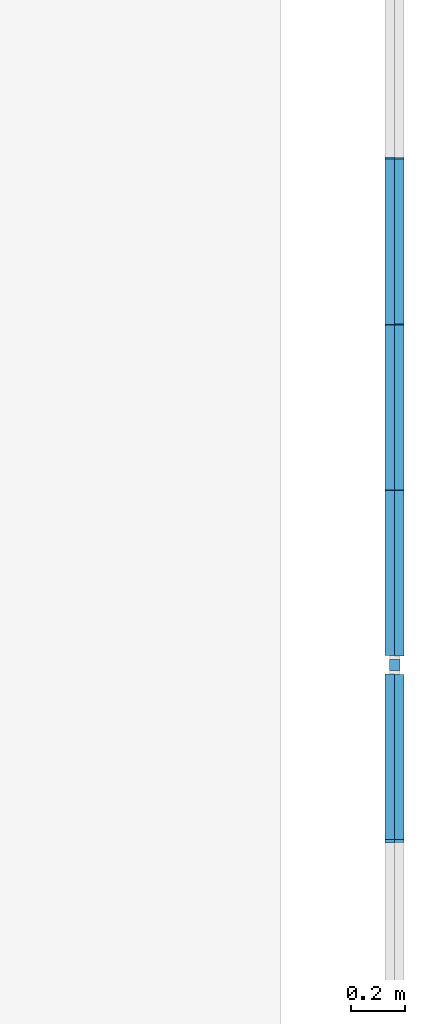
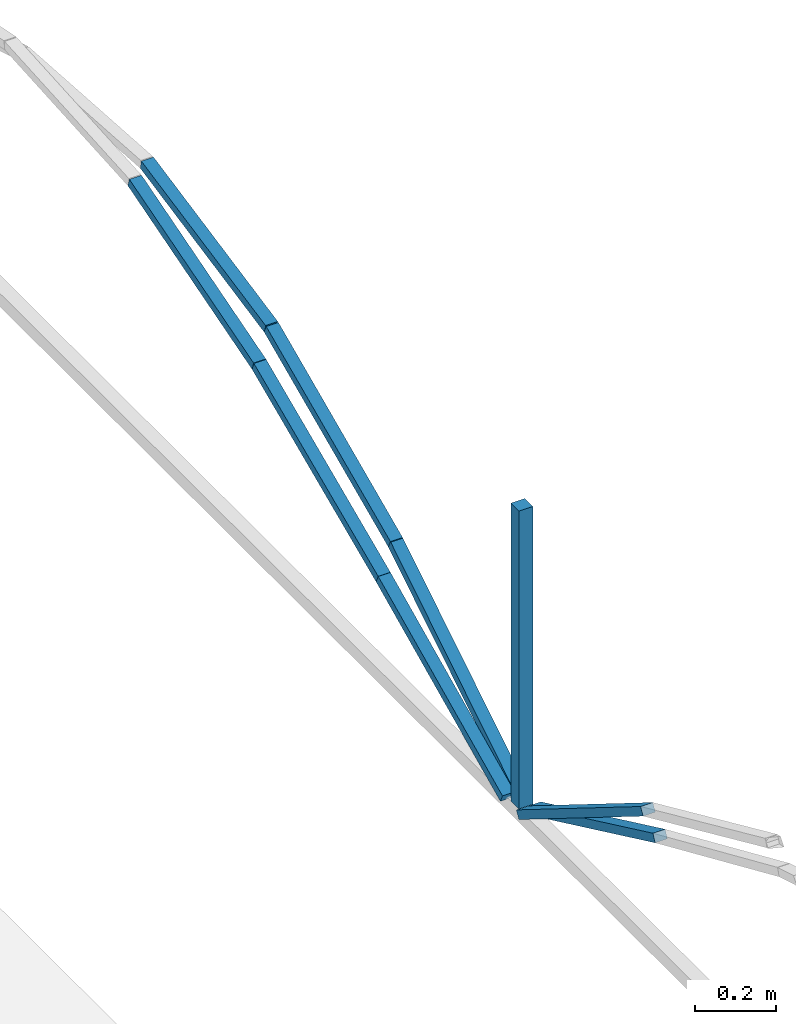
# One storey, part 6 of 9: 9 discrete accessories.
"""IFC4 building model written with IfcOpenShell, lengths in metres."""

from ifc_helpers import new_model, si_unit, direction, frame, origin, origin_2d, place, context, subcontext, project, spatial, rectangle, extrude, material, material_profile, profile_set, type_object, element, save


model = new_model("IFC4")

# Units and contexts
model_context = context("Model", 3, precision=1e-05, world=origin(), true_north=direction((0.0, 1.0)))
body_context = subcontext(model_context, "Body", "Model", "MODEL_VIEW")
ifc_project = project(units=[si_unit("LENGTHUNIT", "METRE"), si_unit("AREAUNIT", "SQUARE_METRE"), si_unit("VOLUMEUNIT", "CUBIC_METRE"), si_unit("PLANEANGLEUNIT", "RADIAN"), si_unit("MASSUNIT", "GRAM", prefix="KILO")], contexts=[model_context])

# Site, building, storey
site_placement = place(None, origin())
site = spatial("IfcSite", under=ifc_project, at=site_placement, CompositionType="ELEMENT")
building_placement = place(site_placement, origin())
building = spatial("IfcBuilding", under=site, at=building_placement, Name="Hortulan Conservatory and Botanical Research Centre", CompositionType="ELEMENT")
storey_placement = place(building_placement, frame((0.0, 0.0, 74.25)))
storey = spatial("IfcBuildingStorey", under=building, at=storey_placement, Name="MAIN ROOF", CompositionType="ELEMENT", Elevation=74.25)

# Discrete accessories
ifc_material = material(Name="Bronze-charcoal painted wrought iron", Category="metal")
ifc_material_profile_1 = material_profile(ifc_material, rectangle(XDim=0.0400390625, YDim=0.0400390625, at=origin_2d()), Name="Square bar 40x40")
ifc_profile_set_1 = profile_set([ifc_material_profile_1], Name="Bronze-charcoal painted wrought iron")
discrete_accessory_type_1 = type_object("IfcDiscreteAccessoryType", Name="Cresting Post 40x40", PredefinedType="USERDEFINED", material=ifc_profile_set_1)
discrete_accessory_1_placement = place(storey_placement, frame((31.925048828125, 13.387451171875, 1.43994140625), z_axis=(0.0, 0.0, 1.0), x_axis=(1.0, 0.0, 0.0)))
element("IfcDiscreteAccessory", 1, at=discrete_accessory_1_placement, inside=storey, type_object=discrete_accessory_type_1, Name="Cresting post", ObjectType="Cresting post", PredefinedType="USERDEFINED", context=body_context, shape_type="SweptSolid", body=[
    extrude(rectangle(XDim=0.0400390625, YDim=0.0400390625, at=origin_2d()), origin(), (0.0, 0.0, 1.0), 0.900146484375),
])
ifc_material_profile_2 = material_profile(ifc_material, rectangle(XDim=0.034912109375, YDim=0.02490234375, at=origin_2d()), Name="Flat bar 35x25")
ifc_profile_set_2 = profile_set([ifc_material_profile_2], Name="Bronze-charcoal painted wrought iron")
discrete_accessory_type_2 = type_object("IfcDiscreteAccessoryType", Name="Whiplash Bar 35x25", PredefinedType="USERDEFINED", material=ifc_profile_set_2)
discrete_accessory_2_placement = place(storey_placement, frame((31.907470703125, 15.273681640625, 2.1826171875), z_axis=(0.0, -0.958897821209, -0.283751596439), x_axis=(1.0, 0.0, 0.0)))
element("IfcDiscreteAccessory", 2, at=discrete_accessory_2_placement, inside=storey, type_object=discrete_accessory_type_2, Name="Whiplash bar", ObjectType="Whiplash cresting bar", PredefinedType="USERDEFINED", context=body_context, shape_type="SweptSolid", body=[
    extrude(rectangle(XDim=0.034912109375, YDim=0.02490234375, at=origin_2d()), origin(), (0.0, 0.0, 1.0), 0.641845703125),
])
discrete_accessory_3_placement = place(storey_placement, frame((31.907470703125, 14.658203125, 2.00048828125), z_axis=(0.0, -0.915555942631, -0.402190646227), x_axis=(1.0, 0.0, 0.0)))
element("IfcDiscreteAccessory", 3, at=discrete_accessory_3_placement, inside=storey, type_object=discrete_accessory_type_2, Name="Whiplash bar", ObjectType="Whiplash cresting bar", PredefinedType="USERDEFINED", context=body_context, shape_type="SweptSolid", body=[
    extrude(rectangle(XDim=0.034912109375, YDim=0.02490234375, at=origin_2d()), origin(), (0.0, 0.0, 1.0), 0.671875),
])
discrete_accessory_4_placement = place(storey_placement, frame((31.907470703125, 14.04296875, 1.730224609375), z_axis=(0.0, -0.904452486438, -0.426574377777), x_axis=(1.0, 0.0, 0.0)))
element("IfcDiscreteAccessory", 4, at=discrete_accessory_4_placement, inside=storey, type_object=discrete_accessory_type_2, Name="Whiplash bar", ObjectType="Whiplash cresting bar", PredefinedType="USERDEFINED", context=body_context, shape_type="SweptSolid", body=[
    extrude(rectangle(XDim=0.034912109375, YDim=0.02490234375, at=origin_2d()), origin(), (0.0, 0.0, 1.0), 0.680419921875),
])
discrete_accessory_5_placement = place(storey_placement, frame((31.9423828125, 15.273681640625, 2.22412109375), z_axis=(0.0, -0.980370718915, -0.197163012491), x_axis=(1.0, 0.0, 0.0)))
element("IfcDiscreteAccessory", 5, at=discrete_accessory_5_placement, inside=storey, type_object=discrete_accessory_type_2, Name="Whiplash bar", ObjectType="Whiplash cresting bar", PredefinedType="USERDEFINED", context=body_context, shape_type="SweptSolid", body=[
    extrude(rectangle(XDim=0.034912109375, YDim=0.02490234375, at=origin_2d()), origin(), (0.0, 0.0, 1.0), 0.627685546875),
])
discrete_accessory_6_placement = place(storey_placement, frame((31.9423828125, 14.658203125, 2.100341796875), z_axis=(0.0, -0.911786055171, -0.41066554469), x_axis=(1.0, 0.0, 0.0)))
element("IfcDiscreteAccessory", 6, at=discrete_accessory_6_placement, inside=storey, type_object=discrete_accessory_type_2, Name="Whiplash bar", ObjectType="Whiplash cresting bar", PredefinedType="USERDEFINED", context=body_context, shape_type="SweptSolid", body=[
    extrude(rectangle(XDim=0.034912109375, YDim=0.02490234375, at=origin_2d()), origin(), (0.0, 0.0, 1.0), 0.6748046875),
])
discrete_accessory_7_placement = place(storey_placement, frame((31.9423828125, 14.04296875, 1.8232421875), z_axis=(0.0, -0.848848445952, -0.528636279312), x_axis=(1.0, 0.0, 0.0)))
element("IfcDiscreteAccessory", 7, at=discrete_accessory_7_placement, inside=storey, type_object=discrete_accessory_type_2, Name="Whiplash bar", ObjectType="Whiplash cresting bar", PredefinedType="USERDEFINED", context=body_context, shape_type="SweptSolid", body=[
    extrude(rectangle(XDim=0.034912109375, YDim=0.02490234375, at=origin_2d()), origin(), (0.0, 0.0, 1.0), 0.72509765625),
])
discrete_accessory_8_placement = place(storey_placement, frame((31.907470703125, 13.347412109375, 1.43994140625), z_axis=(0.0, -0.84875430958, 0.528787407159), x_axis=(1.0, 0.0, 0.0)))
element("IfcDiscreteAccessory", 8, at=discrete_accessory_8_placement, inside=storey, type_object=discrete_accessory_type_2, Name="Whiplash bar", ObjectType="Whiplash cresting bar", PredefinedType="USERDEFINED", context=body_context, shape_type="SweptSolid", body=[
    extrude(rectangle(XDim=0.034912109375, YDim=0.02490234375, at=origin_2d()), origin(), (0.0, 0.0, 1.0), 0.724853515625),
])
discrete_accessory_9_placement = place(storey_placement, frame((31.9423828125, 13.347412109375, 1.43994140625), z_axis=(0.0, -0.904387171298, 0.426712835982), x_axis=(1.0, 0.0, 0.0)))
element("IfcDiscreteAccessory", 9, at=discrete_accessory_9_placement, inside=storey, type_object=discrete_accessory_type_2, Name="Whiplash bar", ObjectType="Whiplash cresting bar", PredefinedType="USERDEFINED", context=body_context, shape_type="SweptSolid", body=[
    extrude(rectangle(XDim=0.034912109375, YDim=0.02490234375, at=origin_2d()), origin(), (0.0, 0.0, 1.0), 0.68017578125),
])

save(model, "model.ifc")
